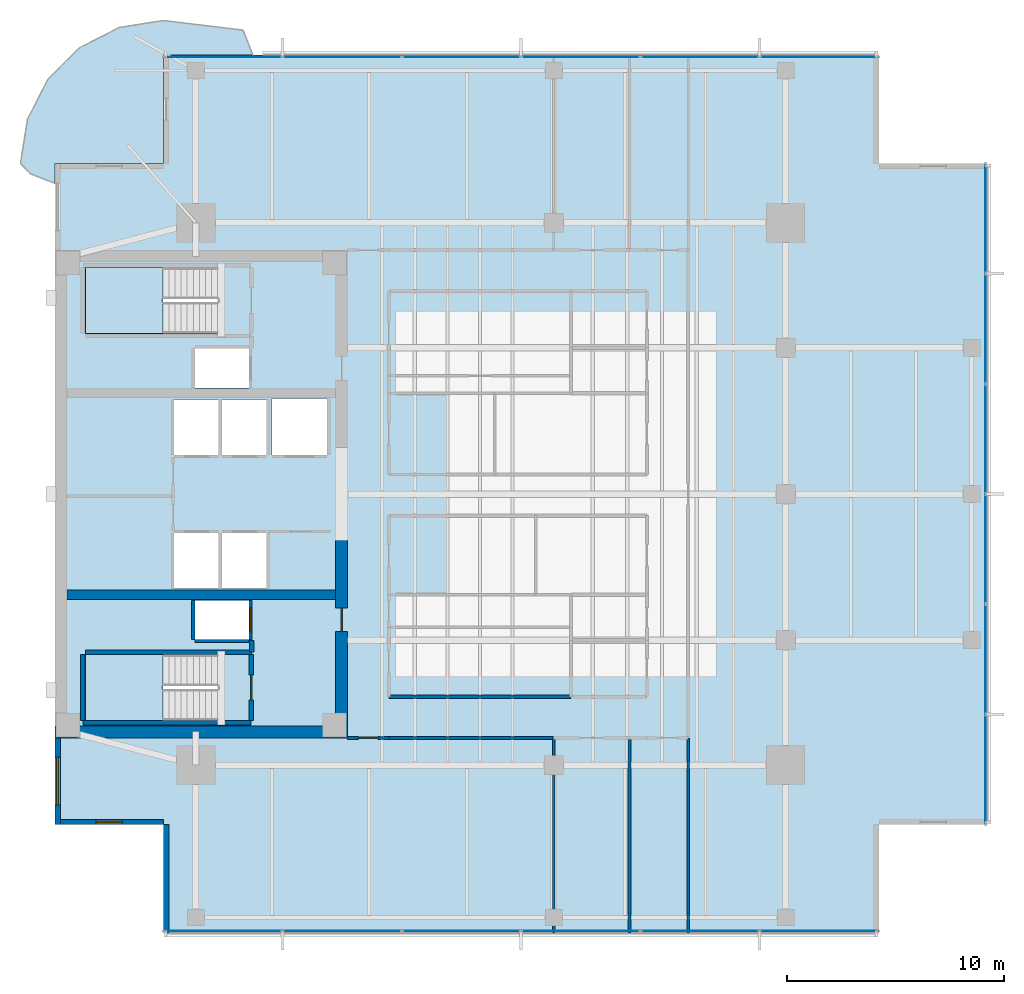
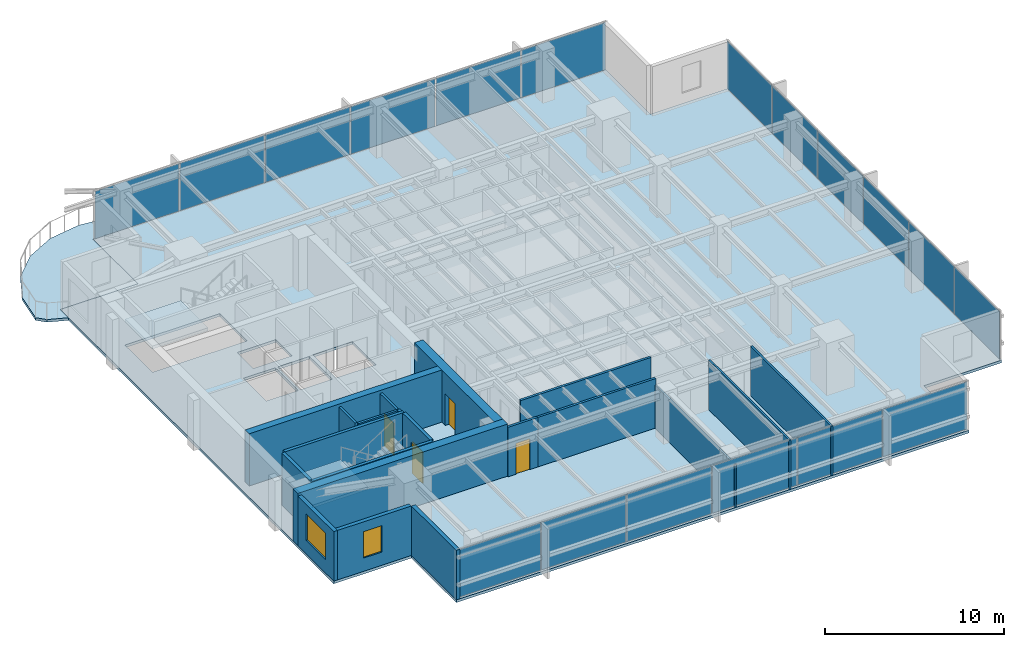
# One storey, part 7 of 14: 20 walls, 18 plates, 4 doors, 4 slabs, 2 windows, 6 openings, 5 elements without a shape of their own.
"""IFC4 building model written with IfcOpenShell, lengths in metres."""

import ifcopenshell
import ifcopenshell.guid

model = None  # the IFC model being written
_history = None  # IfcOwnerHistory: only IFC2X3 demands one
_inside = {}  # id of a spatial element -> (the spatial element, [elements in it])
_under = {}  # id of a project, library or spatial element -> (it, [spatial elements below it])
_declared = {}  # id of a project -> (the project, [libraries it declares])
_typed = {}  # id of a type object -> (the type object, [elements of that type])
_made_of = {}  # id of a material, layer set ... -> (it, [elements and type objects made of it])


def new_model(schema):
    """Start an empty IFC model of exactly this schema.

    Asked for "IFC4X3", IfcOpenShell would pick the latest addendum, in which some entities
    have other attributes; the version numbers below select the first issue.
    IFC2X3 requires an IfcOwnerHistory on every rooted entity: one is made here for all.
    """
    global model, _history
    if schema == "IFC4X3":
        model = ifcopenshell.file(schema_version=(4, 3, 0, 0))
    else:
        model = ifcopenshell.file(schema=schema)
    _inside.clear()
    _under.clear()
    _declared.clear()
    _typed.clear()
    _made_of.clear()
    _history = None
    if model.schema == "IFC2X3":
        org = make("IfcOrganization", Name="unknown")
        user = make(
            "IfcPersonAndOrganization",
            ThePerson=make("IfcPerson", FamilyName="unknown"),
            TheOrganization=org,
        )
        app = make(
            "IfcApplication",
            ApplicationDeveloper=org,
            Version="unknown",
            ApplicationFullName="unknown",
            ApplicationIdentifier="unknown",
        )
        _history = make(
            "IfcOwnerHistory",
            OwningUser=user,
            OwningApplication=app,
            ChangeAction="ADDED",
            CreationDate=0,
        )
    return model


def make(cls, **values):
    """One entity of the class cls with the attributes given. An attribute that is None is left unset."""
    return model.create_entity(
        cls, **{name: value for name, value in values.items() if value is not None}
    )


def rooted(cls, **values):
    """An entity with a GlobalId (a new one), such as an element, a storey or a relation."""
    return make(cls, GlobalId=ifcopenshell.guid.new(), OwnerHistory=_history, **values)


def si_unit(unit_type, name, prefix=None):
    """IfcSIUnit, for example si_unit("LENGTHUNIT", "METRE", prefix="MILLI")."""
    return make("IfcSIUnit", UnitType=unit_type, Prefix=prefix, Name=name)


def assignment(units):
    """IfcUnitAssignment: the units of a project."""
    return None if units is None else make("IfcUnitAssignment", Units=units)


def point(xyz):
    """IfcCartesianPoint."""
    return None if xyz is None else make("IfcCartesianPoint", Coordinates=xyz)


def direction(xyz):
    """IfcDirection."""
    return None if xyz is None else make("IfcDirection", DirectionRatios=xyz)


def frame(location, z_axis=None, x_axis=None):
    """IfcAxis2Placement3D, a coordinate frame: its origin and axes. An axis left out is left unset."""
    return make(
        "IfcAxis2Placement3D",
        Location=point(location),
        Axis=direction(z_axis),
        RefDirection=direction(x_axis),
    )


def frame_2d(location, x_axis=None):
    """IfcAxis2Placement2D, a coordinate frame in the plane: its origin and x axis."""
    return make(
        "IfcAxis2Placement2D", Location=point(location), RefDirection=direction(x_axis)
    )


def origin():
    """The frame at (0, 0, 0) with its axes left unset."""
    return frame((0.0, 0.0, 0.0))


def origin_2d():
    """The frame at (0, 0) in the plane with its x axis left unset."""
    return frame_2d((0.0, 0.0))


def place(relative_to, where):
    """IfcLocalPlacement: puts the frame where relative to a parent placement (None: the world)."""
    return make(
        "IfcLocalPlacement", PlacementRelTo=relative_to, RelativePlacement=where
    )


def context(
    kind, dimensions, precision=None, world=None, true_north=None, identifier=None
):
    """IfcGeometricRepresentationContext, for example the 3D "Model" context."""
    return make(
        "IfcGeometricRepresentationContext",
        ContextIdentifier=identifier,
        ContextType=kind,
        CoordinateSpaceDimension=dimensions,
        Precision=precision,
        WorldCoordinateSystem=world,
        TrueNorth=true_north,
    )


def subcontext(parent, identifier, kind, view, scale=None):
    """IfcGeometricRepresentationSubContext, for example "Body" below "Model"."""
    return make(
        "IfcGeometricRepresentationSubContext",
        ContextIdentifier=identifier,
        ContextType=kind,
        ParentContext=parent,
        TargetScale=scale,
        TargetView=view,
    )


def project(units=None, contexts=None):
    """IfcProject with its units and contexts."""
    return rooted(
        "IfcProject",
        Name="project",
        RepresentationContexts=contexts,
        UnitsInContext=assignment(units),
    )


def spatial(cls, under=None, at=None, **own):
    """A site, building, storey or space (cls), placed at a placement, below another one or the project."""
    s = rooted(cls, ObjectPlacement=at, **own)
    if under is not None:
        _under.setdefault(under.id(), (under, []))[1].append(s)
    return s


def polyline(points):
    """IfcPolyline through the points."""
    return make("IfcPolyline", Points=[point(p) for p in points])


def profile(cls, at=None, kind="AREA", **sizes):
    """A parametric profile (cls). Its sizes go by their IFC names, for example OverallWidth=200.0."""
    return make(cls, ProfileType=kind, Position=at, **sizes)


def rectangle(**sizes):
    """IfcRectangleProfileDef."""
    return profile("IfcRectangleProfileDef", **sizes)


def outline(outer, holes=None, kind="AREA"):
    """IfcArbitraryClosedProfileDef: a profile drawn as a closed curve; with holes, ...WithVoids."""
    if holes is None:
        return make("IfcArbitraryClosedProfileDef", ProfileType=kind, OuterCurve=outer)
    return make(
        "IfcArbitraryProfileDefWithVoids",
        ProfileType=kind,
        OuterCurve=outer,
        InnerCurves=holes,
    )


def extrude(swept, where, along, depth):
    """IfcExtrudedAreaSolid: the profile swept, set in the frame where, extruded along a direction by depth."""
    return make(
        "IfcExtrudedAreaSolid",
        SweptArea=swept,
        Position=where,
        ExtrudedDirection=direction(along),
        Depth=depth,
    )


def shape(context_of_items, identifier, shape_type, items):
    """IfcShapeRepresentation: the items that make up one representation, for example the "Body"."""
    return make(
        "IfcShapeRepresentation",
        ContextOfItems=context_of_items,
        RepresentationIdentifier=identifier,
        RepresentationType=shape_type,
        Items=items,
    )


def material(Name=None, Category=None):
    """IfcMaterial."""
    return make("IfcMaterial", Name=Name, Category=Category)


def layer(
    of_material, thickness, ventilated=None, Name=None, Category=None, Priority=None
):
    """IfcMaterialLayer: one layer of a wall or slab, of a material (None: an air gap)."""
    return make(
        "IfcMaterialLayer",
        Material=of_material,
        LayerThickness=thickness,
        IsVentilated=ventilated,
        Name=Name,
        Category=Category,
        Priority=Priority,
    )


def layer_set(layers, Name=None):
    """IfcMaterialLayerSet."""
    return make("IfcMaterialLayerSet", MaterialLayers=layers, LayerSetName=Name)


def made_of(thing, what):
    """Note that an element or type object is made of a material, layer set ...; save() writes the relation."""
    if what is not None:
        _made_of.setdefault(what.id(), (what, []))[1].append(thing)
    return thing


def type_object(cls, material=None, **own):
    """A type object (cls), such as IfcWallType, which elements share."""
    return made_of(rooted(cls, **own), material)


def element(
    cls,
    number,
    at=None,
    inside=None,
    cuts=None,
    type_object=None,
    material=None,
    context=None,
    identifier="Body",
    shape_type=None,
    held_by="IfcProductDefinitionShape",
    body=None,
    shapes=None,
    **own,
):
    """One element of the class cls, such as IfcWall. Its Tag is "e" and its number.

    at: its placement. inside: the storey or other place that contains it. cuts: it is an
    opening in that element (IfcRelVoidsElement). A single representation is given by context,
    identifier, shape_type and body (its items); several are given by shapes. held_by: the class
    of the entity that holds the representations. save() writes the other relations.
    """
    e = rooted(cls, Tag="e%d" % number, ObjectPlacement=at, **own)
    if body is not None:
        shapes = [shape(context, identifier, shape_type, body)]
    if shapes is not None:
        e.Representation = make(held_by, Representations=shapes)
    if inside is not None:
        _inside.setdefault(inside.id(), (inside, []))[1].append(e)
    if cuts is not None:
        rooted(
            "IfcRelVoidsElement", RelatingBuildingElement=cuts, RelatedOpeningElement=e
        )
    if type_object is not None:
        _typed.setdefault(type_object.id(), (type_object, []))[1].append(e)
    return made_of(e, material)


def fill(opening, filler):
    """IfcRelFillsElement: the door or window that sits in an opening."""
    return rooted(
        "IfcRelFillsElement",
        RelatingOpeningElement=opening,
        RelatedBuildingElement=filler,
    )


def aggregate(whole, parts):
    """IfcRelAggregates: a whole, such as a stair, and the parts it consists of."""
    return rooted("IfcRelAggregates", RelatingObject=whole, RelatedObjects=parts)


def save(model, path):
    """Write the relations noted so far, then the file.

    IfcRelAggregates (storeys below a building ...), IfcRelContainedInSpatialStructure (elements
    in a storey), IfcRelDefinesByType, IfcRelAssociatesMaterial and IfcRelDeclares: one each for
    every whole, place, type object, material and project.
    """
    for whole, parts in _under.values():
        aggregate(whole, parts)
    for where, things in _inside.values():
        rooted(
            "IfcRelContainedInSpatialStructure",
            RelatedElements=things,
            RelatingStructure=where,
        )
    for kind, things in _typed.values():
        rooted("IfcRelDefinesByType", RelatedObjects=things, RelatingType=kind)
    for what, things in _made_of.values():
        rooted("IfcRelAssociatesMaterial", RelatedObjects=things, RelatingMaterial=what)
    for by, libraries in _declared.values():
        rooted("IfcRelDeclares", RelatingContext=by, RelatedDefinitions=libraries)
    model.write(path)


model = new_model("IFC4")

# Units and contexts
model_context = context("Model", 3, precision=1e-05, world=origin(), true_north=direction((0.0, 1.0)))
body_context = subcontext(model_context, "Body", "Model", "MODEL_VIEW")
ifc_project = project(units=[si_unit("LENGTHUNIT", "METRE"), si_unit("AREAUNIT", "SQUARE_METRE"), si_unit("VOLUMEUNIT", "CUBIC_METRE"), si_unit("PLANEANGLEUNIT", "RADIAN"), si_unit("MASSUNIT", "GRAM", prefix="KILO")], contexts=[model_context])

# Site, building, storey
site_placement = place(None, origin())
site = spatial("IfcSite", under=ifc_project, at=site_placement, CompositionType="ELEMENT")
building_placement = place(site_placement, origin())
building = spatial("IfcBuilding", under=site, at=building_placement, Name="Kinhvarn Gate Tower", CompositionType="ELEMENT")
storey_placement = place(building_placement, frame((0.0, 0.0, 216.449951171875)))
storey = spatial("IfcBuildingStorey", under=building, at=storey_placement, Name="L57", CompositionType="ELEMENT", Elevation=216.449951171875)

# Curtain wall, plates
ifc_material_1 = material(Name="Anodised aluminium AW-6063", Category="aluminium")
ifc_layer_1 = layer(ifc_material_1, 0.179931640625)
ifc_layer_set_1 = layer_set([ifc_layer_1], Name="Anodised aluminium AW-6063")
curtain_wall_type = type_object("IfcCurtainWallType", Name="CW-SYS-3", PredefinedType="NOTDEFINED", material=ifc_layer_set_1)
curtain_wall_1_placement = place(storey_placement, origin())
curtain_wall_1 = element("IfcCurtainWall", 1, at=curtain_wall_1_placement, inside=storey, type_object=curtain_wall_type, Name="Curtain Wall CW3 (L57)", PredefinedType="NOTDEFINED")
ifc_material_2 = material(Name="Clear low-e double glazing", Category="glass")
ifc_layer_2 = layer(ifc_material_2, 0.031982421875)
ifc_layer_set_2 = layer_set([ifc_layer_2], Name="Clear low-e double glazing")
plate_type = type_object("IfcPlateType", Name="CW-PNL-VIS", PredefinedType="CURTAIN_PANEL", material=ifc_layer_set_2)
plate_1_placement = place(storey_placement, frame((12.266357421875, 5.090087890625, 0.070068359375), z_axis=(0.0, 0.0, 1.0), x_axis=(1.0, 0.0, 0.0)))
plate_1 = element("IfcPlate", 2, at=plate_1_placement, type_object=plate_type, Name="CW3 panel 1.1", PredefinedType="CURTAIN_PANEL", context=body_context, shape_type="SweptSolid", body=[
    extrude(rectangle(XDim=5.402587890625, YDim=0.031982421875, at=origin_2d()), origin(), (0.0, 0.0, 1.0), 3.22998046875),
])
plate_2_placement = place(storey_placement, frame((17.75, 5.090087890625, 0.070068359375), z_axis=(0.0, 0.0, 1.0), x_axis=(1.0, 0.0, 0.0)))
plate_2 = element("IfcPlate", 3, at=plate_2_placement, type_object=plate_type, Name="CW3 panel 2.1", PredefinedType="CURTAIN_PANEL", context=body_context, shape_type="SweptSolid", body=[
    extrude(rectangle(XDim=5.43505859375, YDim=0.031982421875, at=origin_2d()), origin(), (0.0, 0.0, 1.0), 3.22998046875),
])
plate_3_placement = place(storey_placement, frame((23.25, 5.090087890625, 0.070068359375), z_axis=(0.0, 0.0, 1.0), x_axis=(1.0, 0.0, 0.0)))
plate_3 = element("IfcPlate", 4, at=plate_3_placement, type_object=plate_type, Name="CW3 panel 3.1", PredefinedType="CURTAIN_PANEL", context=body_context, shape_type="SweptSolid", body=[
    extrude(rectangle(XDim=5.43505859375, YDim=0.031982421875, at=origin_2d()), origin(), (0.0, 0.0, 1.0), 3.22998046875),
])
plate_4_placement = place(storey_placement, frame((28.75, 5.090087890625, 0.070068359375), z_axis=(0.0, 0.0, 1.0), x_axis=(1.0, 0.0, 0.0)))
plate_4 = element("IfcPlate", 5, at=plate_4_placement, type_object=plate_type, Name="CW3 panel 4.1", PredefinedType="CURTAIN_PANEL", context=body_context, shape_type="SweptSolid", body=[
    extrude(rectangle(XDim=5.43505859375, YDim=0.031982421875, at=origin_2d()), origin(), (0.0, 0.0, 1.0), 3.22998046875),
])
plate_5_placement = place(storey_placement, frame((34.25, 5.090087890625, 0.070068359375), z_axis=(0.0, 0.0, 1.0), x_axis=(1.0, 0.0, 0.0)))
plate_5 = element("IfcPlate", 6, at=plate_5_placement, type_object=plate_type, Name="CW3 panel 5.1", PredefinedType="CURTAIN_PANEL", context=body_context, shape_type="SweptSolid", body=[
    extrude(rectangle(XDim=5.43505859375, YDim=0.031982421875, at=origin_2d()), origin(), (0.0, 0.0, 1.0), 3.22998046875),
])
plate_6_placement = place(storey_placement, frame((39.733642578125, 5.090087890625, 0.070068359375), z_axis=(0.0, 0.0, 1.0), x_axis=(1.0, 0.0, 0.0)))
plate_6 = element("IfcPlate", 7, at=plate_6_placement, type_object=plate_type, Name="CW3 panel 6.1", PredefinedType="CURTAIN_PANEL", context=body_context, shape_type="SweptSolid", body=[
    extrude(rectangle(XDim=5.402587890625, YDim=0.031982421875, at=origin_2d()), origin(), (0.0, 0.0, 1.0), 3.22998046875),
])
aggregate(curtain_wall_1, [plate_1, plate_2, plate_3, plate_4, plate_5, plate_6])

curtain_wall_2_placement = place(storey_placement, origin())
curtain_wall_2 = element("IfcCurtainWall", 8, at=curtain_wall_2_placement, inside=storey, type_object=curtain_wall_type, Name="Curtain Wall CW3 (L57)", PredefinedType="NOTDEFINED")
plate_7_placement = place(storey_placement, frame((39.733642578125, 45.409912109375, 0.070068359375), z_axis=(0.0, 0.0, 1.0), x_axis=(-1.0, 0.0, 0.0)))
plate_7 = element("IfcPlate", 9, at=plate_7_placement, type_object=plate_type, Name="CW3 panel 1.1", PredefinedType="CURTAIN_PANEL", context=body_context, shape_type="SweptSolid", body=[
    extrude(rectangle(XDim=5.402587890625, YDim=0.031982421875, at=origin_2d()), origin(), (0.0, 0.0, 1.0), 3.22998046875),
])
plate_8_placement = place(storey_placement, frame((34.25, 45.409912109375, 0.070068359375), z_axis=(0.0, 0.0, 1.0), x_axis=(-1.0, 0.0, 0.0)))
plate_8 = element("IfcPlate", 10, at=plate_8_placement, type_object=plate_type, Name="CW3 panel 2.1", PredefinedType="CURTAIN_PANEL", context=body_context, shape_type="SweptSolid", body=[
    extrude(rectangle(XDim=5.43505859375, YDim=0.031982421875, at=origin_2d()), origin(), (0.0, 0.0, 1.0), 3.22998046875),
])
plate_9_placement = place(storey_placement, frame((28.75, 45.409912109375, 0.070068359375), z_axis=(0.0, 0.0, 1.0), x_axis=(-1.0, 0.0, 0.0)))
plate_9 = element("IfcPlate", 11, at=plate_9_placement, type_object=plate_type, Name="CW3 panel 3.1", PredefinedType="CURTAIN_PANEL", context=body_context, shape_type="SweptSolid", body=[
    extrude(rectangle(XDim=5.43505859375, YDim=0.031982421875, at=origin_2d()), origin(), (0.0, 0.0, 1.0), 3.22998046875),
])
plate_10_placement = place(storey_placement, frame((23.25, 45.409912109375, 0.070068359375), z_axis=(0.0, 0.0, 1.0), x_axis=(-1.0, 0.0, 0.0)))
plate_10 = element("IfcPlate", 12, at=plate_10_placement, type_object=plate_type, Name="CW3 panel 4.1", PredefinedType="CURTAIN_PANEL", context=body_context, shape_type="SweptSolid", body=[
    extrude(rectangle(XDim=5.43505859375, YDim=0.031982421875, at=origin_2d()), origin(), (0.0, 0.0, 1.0), 3.22998046875),
])
plate_11_placement = place(storey_placement, frame((17.75, 45.409912109375, 0.070068359375), z_axis=(0.0, 0.0, 1.0), x_axis=(-1.0, 0.0, 0.0)))
plate_11 = element("IfcPlate", 13, at=plate_11_placement, type_object=plate_type, Name="CW3 panel 5.1", PredefinedType="CURTAIN_PANEL", context=body_context, shape_type="SweptSolid", body=[
    extrude(rectangle(XDim=5.43505859375, YDim=0.031982421875, at=origin_2d()), origin(), (0.0, 0.0, 1.0), 3.22998046875),
])
plate_12_placement = place(storey_placement, frame((12.266357421875, 45.409912109375, 0.070068359375), z_axis=(0.0, 0.0, 1.0), x_axis=(-1.0, 0.0, 0.0)))
plate_12 = element("IfcPlate", 14, at=plate_12_placement, type_object=plate_type, Name="CW3 panel 6.1", PredefinedType="CURTAIN_PANEL", context=body_context, shape_type="SweptSolid", body=[
    extrude(rectangle(XDim=5.402587890625, YDim=0.031982421875, at=origin_2d()), origin(), (0.0, 0.0, 1.0), 3.22998046875),
])
aggregate(curtain_wall_2, [plate_7, plate_8, plate_9, plate_10, plate_11, plate_12])

curtain_wall_3_placement = place(storey_placement, origin())
curtain_wall_3 = element("IfcCurtainWall", 15, at=curtain_wall_3_placement, inside=storey, type_object=curtain_wall_type, Name="Curtain Wall CW3 (L57)", PredefinedType="NOTDEFINED")
plate_13_placement = place(storey_placement, frame((47.409912109375, 12.557861328125, 0.070068359375), z_axis=(0.0, 0.0, 1.0), x_axis=(0.0, 1.0, 0.0)))
plate_13 = element("IfcPlate", 16, at=plate_13_placement, type_object=plate_type, Name="CW3 panel 1.1", PredefinedType="CURTAIN_PANEL", context=body_context, shape_type="SweptSolid", body=[
    extrude(rectangle(XDim=4.98583984375, YDim=0.031982421875, at=origin_2d()), origin(), (0.0, 0.0, 1.0), 3.22998046875),
])
plate_14_placement = place(storey_placement, frame((47.409912109375, 17.625, 0.070068359375), z_axis=(0.0, 0.0, 1.0), x_axis=(0.0, 1.0, 0.0)))
plate_14 = element("IfcPlate", 17, at=plate_14_placement, type_object=plate_type, Name="CW3 panel 2.1", PredefinedType="CURTAIN_PANEL", context=body_context, shape_type="SweptSolid", body=[
    extrude(rectangle(XDim=5.018310546875, YDim=0.031982421875, at=origin_2d()), origin(), (0.0, 0.0, 1.0), 3.22998046875),
])
plate_15_placement = place(storey_placement, frame((47.409912109375, 22.708251953125, 0.070068359375), z_axis=(0.0, 0.0, 1.0), x_axis=(0.0, 1.0, 0.0)))
plate_15 = element("IfcPlate", 18, at=plate_15_placement, type_object=plate_type, Name="CW3 panel 3.1", PredefinedType="CURTAIN_PANEL", context=body_context, shape_type="SweptSolid", body=[
    extrude(rectangle(XDim=5.018310546875, YDim=0.031982421875, at=origin_2d()), origin(), (0.0, 0.0, 1.0), 3.22998046875),
])
plate_16_placement = place(storey_placement, frame((47.409912109375, 27.791748046875, 0.070068359375), z_axis=(0.0, 0.0, 1.0), x_axis=(0.0, 1.0, 0.0)))
plate_16 = element("IfcPlate", 19, at=plate_16_placement, type_object=plate_type, Name="CW3 panel 4.1", PredefinedType="CURTAIN_PANEL", context=body_context, shape_type="SweptSolid", body=[
    extrude(rectangle(XDim=5.018310546875, YDim=0.031982421875, at=origin_2d()), origin(), (0.0, 0.0, 1.0), 3.22998046875),
])
plate_17_placement = place(storey_placement, frame((47.409912109375, 32.875, 0.070068359375), z_axis=(0.0, 0.0, 1.0), x_axis=(0.0, 1.0, 0.0)))
plate_17 = element("IfcPlate", 20, at=plate_17_placement, type_object=plate_type, Name="CW3 panel 5.1", PredefinedType="CURTAIN_PANEL", context=body_context, shape_type="SweptSolid", body=[
    extrude(rectangle(XDim=5.018310546875, YDim=0.031982421875, at=origin_2d()), origin(), (0.0, 0.0, 1.0), 3.22998046875),
])
plate_18_placement = place(storey_placement, frame((47.409912109375, 37.942138671875, 0.070068359375), z_axis=(0.0, 0.0, 1.0), x_axis=(0.0, 1.0, 0.0)))
plate_18 = element("IfcPlate", 21, at=plate_18_placement, type_object=plate_type, Name="CW3 panel 6.1", PredefinedType="CURTAIN_PANEL", context=body_context, shape_type="SweptSolid", body=[
    extrude(rectangle(XDim=4.98583984375, YDim=0.031982421875, at=origin_2d()), origin(), (0.0, 0.0, 1.0), 3.22998046875),
])
aggregate(curtain_wall_3, [plate_13, plate_14, plate_15, plate_16, plate_17, plate_18])

# Slabs
ifc_material_3 = material(Name="Precast white architectural concrete C40/50", Category="concrete")
ifc_layer_3 = layer(ifc_material_3, 0.179931640625)
ifc_layer_set_3 = layer_set([ifc_layer_3], Name="Precast white architectural concrete C40/50")
slab_type_1 = type_object("IfcSlabType", Name="SLB-BAL-180", PredefinedType="FLOOR", material=ifc_layer_set_3)
slab_1_placement = place(storey_placement, frame((0.0, 0.0, -0.179931640625)))
element("IfcSlab", 22, at=slab_1_placement, inside=storey, type_object=slab_type_1, Name="S-Carve Curved Terrace Balcony Slab L57 (NW)", PredefinedType="FLOOR", context=body_context, shape_type="SweptSolid", body=[
    extrude(outline(polyline([(13.6259765625, 45.5), (13.176025390625, 46.642578125), (9.5, 47.0869140625), (7.464599609375, 46.7646484375), (5.62841796875, 45.8291015625), (4.1708984375, 44.37158203125), (3.2353515625, 42.535400390625), (2.9130859375, 40.5), (3.357421875, 40.027099609375), (4.5, 39.576904296875), (4.5, 40.5), (9.5, 40.5), (9.5, 45.5), (13.6259765625, 45.5)])), origin(), (0.0, 0.0, 1.0), 0.179931640625),
])
ifc_material_4 = material(Name="Concrete C40/50", Category="concrete")
ifc_layer_4 = layer(ifc_material_4, 0.179931640625)
ifc_layer_set_4 = layer_set([ifc_layer_4], Name="Concrete C40/50")
slab_type_2 = type_object("IfcSlabType", Name="SLB-FLR-180", PredefinedType="FLOOR", material=ifc_layer_set_4)
slab_2_placement = place(storey_placement, frame((0.0, 0.0, -0.179931640625)))
element("IfcSlab", 23, at=slab_2_placement, inside=storey, type_object=slab_type_2, Name="Suspended Floor Slab L57", PredefinedType="FLOOR", context=body_context, shape_type="SweptSolid", body=[
    extrude(outline(polyline([(9.5, 5.0), (42.5, 5.0), (42.5, 10.0), (47.5, 10.0), (47.5, 40.5), (42.5, 40.5), (42.5, 45.5), (9.5, 45.5), (9.5, 40.5), (4.5, 40.5), (4.5, 10.0), (9.5, 10.0), (9.5, 5.0)]), holes=[polyline([(5.89990234375, 14.800048828125), (12.0, 14.800048828125), (12.0, 17.85009765625), (5.89990234375, 17.85009765625), (5.89990234375, 14.800048828125)]), polyline([(5.89990234375, 32.64990234375), (12.0, 32.64990234375), (12.0, 35.699951171875), (5.89990234375, 35.699951171875), (5.89990234375, 32.64990234375)]), polyline([(10.0, 20.89990234375), (12.050048828125, 20.89990234375), (12.050048828125, 23.449951171875), (10.0, 23.449951171875), (10.0, 20.89990234375)]), polyline([(12.199951171875, 20.89990234375), (14.25, 20.89990234375), (14.25, 23.449951171875), (12.199951171875, 23.449951171875), (12.199951171875, 20.89990234375)]), polyline([(10.0, 27.050048828125), (12.050048828125, 27.050048828125), (12.050048828125, 29.60009765625), (10.0, 29.60009765625), (10.0, 27.050048828125)]), polyline([(12.199951171875, 27.050048828125), (14.25, 27.050048828125), (14.25, 29.60009765625), (12.199951171875, 29.60009765625), (12.199951171875, 27.050048828125)]), polyline([(14.5, 27.050048828125), (17.050048828125, 27.050048828125), (17.050048828125, 29.64990234375), (14.5, 29.64990234375), (14.5, 27.050048828125)]), polyline([(10.949951171875, 18.550048828125), (13.449951171875, 18.550048828125), (13.449951171875, 20.35009765625), (10.949951171875, 20.35009765625), (10.949951171875, 18.550048828125)]), polyline([(10.949951171875, 30.14990234375), (13.449951171875, 30.14990234375), (13.449951171875, 31.949951171875), (10.949951171875, 31.949951171875), (10.949951171875, 30.14990234375)])]), origin(), (0.0, 0.0, 1.0), 0.179931640625),
])

# Stair, slab
stair_type = type_object("IfcStairType", Name="STR-DLG-178", PredefinedType="HALF_TURN_STAIR", material=ifc_material_4)
stair_1_placement = place(storey_placement, origin())
stair_1 = element("IfcStair", 24, at=stair_1_placement, inside=storey, type_object=stair_type, Name="L57 Core Smokeproof Exit Stair ST1", PredefinedType="HALF_TURN_STAIR")
ifc_layer_5 = layer(ifc_material_4, 0.199951171875)
ifc_layer_set_5 = layer_set([ifc_layer_5], Name="Concrete C40/50")
slab_type_3 = type_object("IfcSlabType", Name="SLB-ST-LND", PredefinedType="LANDING", material=ifc_layer_set_5)
slab_3_placement = place(storey_placement, frame((0.0, 0.0, 1.574951171875)))
slab_3 = element("IfcSlab", 25, at=slab_3_placement, type_object=slab_type_3, Name="ST1 landing 1", PredefinedType="LANDING", context=body_context, shape_type="SweptSolid", body=[
    extrude(outline(polyline([(9.47998046875, 17.85009765625), (5.89990234375, 17.85009765625), (5.89990234375, 14.800048828125), (9.47998046875, 14.800048828125), (9.47998046875, 17.85009765625)])), origin(), (0.0, 0.0, 1.0), 0.2001953125),
])
aggregate(stair_1, [slab_3])

stair_2_placement = place(storey_placement, origin())
stair_2 = element("IfcStair", 26, at=stair_2_placement, inside=storey, type_object=stair_type, Name="L57 Core Smokeproof Exit Stair ST2", PredefinedType="HALF_TURN_STAIR")
slab_4_placement = place(storey_placement, frame((0.0, 0.0, 1.574951171875)))
slab_4 = element("IfcSlab", 27, at=slab_4_placement, type_object=slab_type_3, Name="ST2 landing 1", PredefinedType="LANDING", context=body_context, shape_type="SweptSolid", body=[
    extrude(outline(polyline([(9.47998046875, 35.699951171875), (5.89990234375, 35.699951171875), (5.89990234375, 32.64990234375), (9.47998046875, 32.64990234375), (9.47998046875, 35.699951171875)])), origin(), (0.0, 0.0, 1.0), 0.2001953125),
])
aggregate(stair_2, [slab_4])

# Walls
ifc_material_5 = material(Name="Concrete C50/60", Category="concrete")
ifc_layer_6 = layer(ifc_material_5, 0.449951171875)
ifc_layer_set_6 = layer_set([ifc_layer_6], Name="Concrete C50/60")
wall_type_1 = type_object("IfcWallType", Name="WL-CORE-450", PredefinedType="SHEAR", material=ifc_layer_set_6)
wall_1_placement = place(storey_placement, frame((5.050048828125, 20.60009765625, 0.0), z_axis=(0.0, 0.0, 1.0), x_axis=(1.0, 0.0, 0.0)))
element("IfcWall", 28, at=wall_1_placement, inside=storey, type_object=wall_type_1, Name="Core South Spine Shear Wall L57 450 mm", PredefinedType="SHEAR", context=body_context, shape_type="SweptSolid", body=[
    extrude(rectangle(XDim=12.39990234375, YDim=0.449951171875, at=frame_2d((6.199951171875, 0.0))), origin(), (0.0, 0.0, 1.0), 3.550048828125),
])
ifc_material_6 = material(Name="Concrete C60/75", Category="concrete")
ifc_layer_7 = layer(ifc_material_6, 0.550048828125)
ifc_layer_set_7 = layer_set([ifc_layer_7], Name="Concrete C60/75")
wall_type_2 = type_object("IfcWallType", Name="WL-CORE-550", PredefinedType="SHEAR", material=ifc_layer_set_7)
wall_2_placement = place(storey_placement, frame((4.5, 14.27490234375, 0.0), z_axis=(0.0, 0.0, 1.0), x_axis=(1.0, 0.0, 0.0)))
element("IfcWall", 29, at=wall_2_placement, inside=storey, type_object=wall_type_2, Name="Core South Shear Wall L57 550 mm", PredefinedType="SHEAR", context=body_context, shape_type="SweptSolid", body=[
    extrude(rectangle(XDim=13.5, YDim=0.550048828125, at=frame_2d((6.75, 0.0))), origin(), (0.0, 0.0, 1.0), 3.550048828125),
])

# Wall, opening, door
wall_3_placement = place(storey_placement, frame((17.72509765625, 14.550048828125, 0.0), z_axis=(0.0, 0.0, 1.0), x_axis=(0.0, 1.0, 0.0)))
wall_3 = element("IfcWall", 30, at=wall_3_placement, inside=storey, type_object=wall_type_2, Name="Core East-South Shear Pier L57 550 mm", PredefinedType="SHEAR", context=body_context, shape_type="SweptSolid", body=[
    extrude(rectangle(XDim=8.89990234375, YDim=0.550048828125, at=frame_2d((4.449951171875, 0.0))), origin(), (0.0, 0.0, 1.0), 3.550048828125),
])
opening_1_placement = place(wall_3_placement, frame((4.35009765625, 0.0, 0.0)))
opening_1 = element("IfcOpeningElement", 31, at=opening_1_placement, cuts=wall_3, Name="Opening FD-02", PredefinedType="OPENING", context=body_context, shape_type="SweptSolid", body=[
    extrude(rectangle(XDim=1.10009765625, YDim=2.14990234375, at=frame_2d((0.550048828125, 1.074951171875))), frame((0.0, 0.28515625, 0.0), z_axis=(0.0, -1.0, 0.0), x_axis=(1.0, 0.0, 0.0)), (0.0, 0.0, 1.0), 0.570068359375),
])
door_type_1 = type_object("IfcDoorType", Name="DR-FD-1100", OperationType="NOTDEFINED", PredefinedType="DOOR", material=ifc_material_1)
door_1_placement = place(opening_1_placement, origin())
door_1 = element("IfcDoor", 32, at=door_1_placement, inside=storey, type_object=door_type_1, Name="Firefighting Lobby Core Door (L57)", OperationType="SINGLE_SWING_RIGHT", OverallHeight=2.14990234375, OverallWidth=1.10009765625, PredefinedType="DOOR", context=body_context, shape_type="SweptSolid", body=[
    extrude(rectangle(XDim=1.10009765625, YDim=2.14990234375, at=frame_2d((0.550048828125, 1.074951171875))), frame((0.0, 0.02490234375, 0.0), z_axis=(0.0, -1.0, 0.0), x_axis=(1.0, 0.0, 0.0)), (0.0, 0.0, 1.0), 0.050048828125),
])
fill(opening_1, door_1)

# Wall, opening, window
ifc_material_7 = material(Name="Fired architectural terracotta", Category="masonry")
ifc_layer_8 = layer(ifc_material_7, 0.25)
ifc_layer_set_8 = layer_set([ifc_layer_8], Name="Fired architectural terracotta")
wall_type_3 = type_object("IfcWallType", Name="WL-EXT-250", PredefinedType="SOLIDWALL", material=ifc_layer_set_8)
wall_4_placement = place(storey_placement, frame((4.625, 14.0, 0.0), z_axis=(0.0, 0.0, 1.0), x_axis=(0.0, -1.0, 0.0)))
wall_4 = element("IfcWall", 33, at=wall_4_placement, inside=storey, type_object=wall_type_3, Name="Exterior Solidwall Wall EW-250 (L57 West-South)", PredefinedType="SOLIDWALL", context=body_context, shape_type="SweptSolid", body=[
    extrude(rectangle(XDim=4.0, YDim=0.25, at=frame_2d((2.0, 0.0))), origin(), (0.0, 0.0, 1.0), 3.3701171875),
])
opening_2_placement = place(wall_4_placement, frame((0.89990234375, 0.0, 0.89990234375)))
opening_2 = element("IfcOpeningElement", 34, at=opening_2_placement, cuts=wall_4, Name="Opening WN-01", PredefinedType="OPENING", context=body_context, shape_type="SweptSolid", body=[
    extrude(rectangle(XDim=2.199951171875, YDim=1.800048828125, at=frame_2d((1.10009765625, 0.89990234375))), frame((0.0, 0.135009765625, 0.0), z_axis=(0.0, -1.0, 0.0), x_axis=(1.0, 0.0, 0.0)), (0.0, 0.0, 1.0), 0.27001953125),
])
window_type_1 = type_object("IfcWindowType", Name="WIN-RIB-2200", PartitioningType="SINGLE_PANEL", PredefinedType="WINDOW", material=ifc_material_2)
window_1_placement = place(opening_2_placement, origin())
window_1 = element("IfcWindow", 35, at=window_1_placement, inside=storey, type_object=window_type_1, Name="West Flank Double-Glazed Ribbon Window 2200x1800 mm (L57)", OverallHeight=1.800048828125, OverallWidth=2.199951171875, PartitioningType="SINGLE_PANEL", PredefinedType="WINDOW", context=body_context, shape_type="SweptSolid", body=[
    extrude(rectangle(XDim=2.199951171875, YDim=1.800048828125, at=frame_2d((1.10009765625, 0.89990234375))), frame((0.0, 0.030029296875, 0.0), z_axis=(0.0, -1.0, 0.0), x_axis=(1.0, 0.0, 0.0)), (0.0, 0.0, 1.0), 0.06005859375),
])
fill(opening_2, window_1)

wall_5_placement = place(storey_placement, frame((4.5, 10.125, 0.0), z_axis=(0.0, 0.0, 1.0), x_axis=(1.0, 0.0, 0.0)))
wall_5 = element("IfcWall", 36, at=wall_5_placement, inside=storey, type_object=wall_type_3, Name="Exterior Solidwall Wall EW-250 (L57 SW-Notch-1)", PredefinedType="SOLIDWALL", context=body_context, shape_type="SweptSolid", body=[
    extrude(rectangle(XDim=5.0, YDim=0.25, at=frame_2d((2.5, 0.0))), origin(), (0.0, 0.0, 1.0), 3.3701171875),
])
opening_3_placement = place(wall_5_placement, frame((1.89990234375, 0.0, 0.89990234375)))
opening_3 = element("IfcOpeningElement", 37, at=opening_3_placement, cuts=wall_5, Name="Opening WN-02", PredefinedType="OPENING", context=body_context, shape_type="SweptSolid", body=[
    extrude(rectangle(XDim=1.199951171875, YDim=1.800048828125, at=frame_2d((0.60009765625, 0.89990234375))), frame((0.0, 0.135009765625, 0.0), z_axis=(0.0, -1.0, 0.0), x_axis=(1.0, 0.0, 0.0)), (0.0, 0.0, 1.0), 0.27001953125),
])
window_type_2 = type_object("IfcWindowType", Name="WIN-NTC-1200", PartitioningType="SINGLE_PANEL", PredefinedType="WINDOW", material=ifc_material_2)
window_2_placement = place(opening_3_placement, origin())
window_2 = element("IfcWindow", 38, at=window_2_placement, inside=storey, type_object=window_type_2, Name="Recessed Corner Notch Punched Window 1200x1800 mm (L57)", OverallHeight=1.800048828125, OverallWidth=1.199951171875, PartitioningType="SINGLE_PANEL", PredefinedType="WINDOW", context=body_context, shape_type="SweptSolid", body=[
    extrude(rectangle(XDim=1.199951171875, YDim=1.800048828125, at=frame_2d((0.60009765625, 0.89990234375))), frame((0.0, 0.030029296875, 0.0), z_axis=(0.0, -1.0, 0.0), x_axis=(1.0, 0.0, 0.0)), (0.0, 0.0, 1.0), 0.06005859375),
])
fill(opening_3, window_2)

# Walls
wall_6_placement = place(storey_placement, frame((9.625, 10.0, 0.0), z_axis=(0.0, 0.0, 1.0), x_axis=(0.0, -1.0, 0.0)))
element("IfcWall", 39, at=wall_6_placement, inside=storey, type_object=wall_type_3, Name="Exterior Solidwall Wall EW-250 (L57 SW-Notch-2)", PredefinedType="SOLIDWALL", context=body_context, shape_type="SweptSolid", body=[
    extrude(rectangle(XDim=5.0, YDim=0.25, at=frame_2d((2.5, 0.0))), origin(), (0.0, 0.0, 1.0), 3.3701171875),
])
ifc_material_8 = material(Name="Gypsum acoustic partition board")
ifc_layer_9 = layer(ifc_material_8, 0.1201171875)
ifc_layer_set_9 = layer_set([ifc_layer_9], Name="Gypsum acoustic partition board")
wall_type_4 = type_object("IfcWallType", Name="WL-PRT-120", PredefinedType="PARTITIONING", material=ifc_layer_set_9)
wall_7_placement = place(storey_placement, frame((27.5, 5.010009765625, 0.0), z_axis=(0.0, 0.0, 1.0), x_axis=(0.0, 1.0, 0.0)))
element("IfcWall", 40, at=wall_7_placement, inside=storey, type_object=wall_type_4, Name="Interior Partition PW-120 (L57)", PredefinedType="PARTITIONING", context=body_context, shape_type="SweptSolid", body=[
    extrude(rectangle(XDim=8.989990234375, YDim=0.1201171875, at=frame_2d((4.4951171875, 0.0))), origin(), (0.0, 0.0, 1.0), 2.920166015625),
])
for number, where, z_axis, x_axis, name in (
    (41, (31.0, 5.010009765625, 0.0), (0.0, 0.0, 1.0), (0.0, 1.0, 0.0), "Interior Partition PW-120 (L57)"),
    (42, (33.699951171875, 5.010009765625, 0.0), (0.0, 0.0, 1.0), (0.0, 1.0, 0.0), "Interior Partition PW-120 (L57)"),
):
    element("IfcWall", number, at=place(storey_placement, frame(where, z_axis=z_axis, x_axis=x_axis)), inside=storey, type_object=wall_type_4, Name=name, PredefinedType="PARTITIONING", context=body_context, shape_type="SweptSolid", body=[
        extrude(rectangle(XDim=8.989990234375, YDim=0.1201171875, at=frame_2d((4.4951171875, 0.0))), origin(), (0.0, 0.0, 1.0), 3.3701171875),
    ])

# Wall, opening, door
ifc_layer_10 = layer(ifc_material_8, 0.14990234375)
ifc_layer_set_10 = layer_set([ifc_layer_10], Name="Gypsum acoustic partition board")
wall_type_5 = type_object("IfcWallType", Name="WL-PRT-150F", PredefinedType="PARTITIONING", material=ifc_layer_set_10)
wall_8_placement = place(storey_placement, frame((18.0, 14.0, 0.0), z_axis=(0.0, 0.0, 1.0), x_axis=(1.0, 0.0, 0.0)))
wall_8 = element("IfcWall", 43, at=wall_8_placement, inside=storey, type_object=wall_type_5, Name="Interior Partition PW-150F (L57)", PredefinedType="PARTITIONING", context=body_context, shape_type="SweptSolid", body=[
    extrude(rectangle(XDim=1.89990234375, YDim=0.14990234375, at=frame_2d((0.949951171875, 0.0))), origin(), (0.0, 0.0, 1.0), 3.3701171875),
])
opening_4_placement = place(wall_8_placement, frame((0.5, 0.0, 0.0)))
opening_4 = element("IfcOpeningElement", 44, at=opening_4_placement, cuts=wall_8, Name="Opening ID-03", PredefinedType="OPENING", context=body_context, shape_type="SweptSolid", body=[
    extrude(rectangle(XDim=0.89990234375, YDim=2.10009765625, at=frame_2d((0.449951171875, 1.050048828125))), frame((0.0, 0.0849609375, 0.0), z_axis=(0.0, -1.0, 0.0), x_axis=(1.0, 0.0, 0.0)), (0.0, 0.0, 1.0), 0.169921875),
])
door_type_2 = type_object("IfcDoorType", Name="DR-INT-900", OperationType="NOTDEFINED", PredefinedType="DOOR", material=ifc_material_1)
door_2_placement = place(opening_4_placement, origin())
door_2 = element("IfcDoor", 45, at=door_2_placement, inside=storey, type_object=door_type_2, Name="Cellular Office & Restroom Door 900x2100 mm (L57)", OperationType="SINGLE_SWING_RIGHT", OverallHeight=2.10009765625, OverallWidth=0.89990234375, PredefinedType="DOOR", context=body_context, shape_type="SweptSolid", body=[
    extrude(rectangle(XDim=0.89990234375, YDim=2.10009765625, at=frame_2d((0.449951171875, 1.050048828125))), frame((0.0, 0.02490234375, 0.0), z_axis=(0.0, -1.0, 0.0), x_axis=(1.0, 0.0, 0.0)), (0.0, 0.0, 1.0), 0.050048828125),
])
fill(opening_4, door_2)

# Walls
wall_9_placement = place(storey_placement, frame((19.89990234375, 15.89990234375, 0.0), z_axis=(0.0, 0.0, 1.0), x_axis=(1.0, 0.0, 0.0)))
element("IfcWall", 46, at=wall_9_placement, inside=storey, type_object=wall_type_5, Name="Interior Partition PW-150F (L57)", PredefinedType="PARTITIONING", context=body_context, shape_type="SweptSolid", body=[
    extrude(rectangle(XDim=8.400146484375, YDim=0.14990234375, at=frame_2d((4.2001953125, 0.0))), origin(), (0.0, 0.0, 1.0), 3.3701171875),
])
wall_10_placement = place(storey_placement, frame((19.89990234375, 14.0, 0.0), z_axis=(0.0, 0.0, 1.0), x_axis=(1.0, 0.0, 0.0)))
element("IfcWall", 47, at=wall_10_placement, inside=storey, type_object=wall_type_5, Name="Interior Partition PW-150F (L57)", PredefinedType="PARTITIONING", context=body_context, shape_type="SweptSolid", body=[
    extrude(rectangle(XDim=7.60009765625, YDim=0.14990234375, at=frame_2d((3.800048828125, 0.0))), origin(), (0.0, 0.0, 1.0), 3.3701171875),
])
ifc_layer_11 = layer(ifc_material_8, 0.199951171875)
ifc_layer_set_11 = layer_set([ifc_layer_11], Name="Gypsum acoustic partition board")
wall_type_6 = type_object("IfcWallType", Name="WL-PRT-200", PredefinedType="PARTITIONING", material=ifc_layer_set_11)
wall_11_placement = place(storey_placement, frame((13.580078125, 17.9599609375, 0.0), z_axis=(0.0, 0.0, 1.0), x_axis=(0.0, 1.0, 0.0)))
element("IfcWall", 48, at=wall_11_placement, inside=storey, type_object=wall_type_6, Name="Interior Partition PW-200 (L57)", PredefinedType="PARTITIONING", context=body_context, shape_type="SweptSolid", body=[
    extrude(rectangle(XDim=0.5400390625, YDim=0.199951171875, at=frame_2d((0.27001953125, 0.0))), origin(), (0.0, 0.0, 1.0), 3.3701171875),
])
ifc_layer_12 = layer(ifc_material_8, 0.14990234375)
ifc_layer_set_12 = layer_set([ifc_layer_12], Name="Gypsum acoustic partition board")
wall_type_7 = type_object("IfcWallType", Name="WL-SHF-150", PredefinedType="PARTITIONING", material=ifc_layer_set_12)
wall_12_placement = place(storey_placement, frame((10.949951171875, 18.47509765625, 0.0), z_axis=(0.0, 0.0, 1.0), x_axis=(1.0, 0.0, 0.0)))
element("IfcWall", 49, at=wall_12_placement, inside=storey, type_object=wall_type_7, Name="Elevator FF1 Hoistway Wall S (L57)", PredefinedType="PARTITIONING", context=body_context, shape_type="SweptSolid", body=[
    extrude(rectangle(XDim=2.5, YDim=0.14990234375, at=frame_2d((1.25, 0.0))), origin(), (0.0, 0.0, 1.0), 3.3701171875),
])
wall_13_placement = place(storey_placement, frame((10.875, 18.550048828125, 0.0), z_axis=(0.0, 0.0, 1.0), x_axis=(0.0, 1.0, 0.0)))
element("IfcWall", 50, at=wall_13_placement, inside=storey, type_object=wall_type_7, Name="Elevator FF1 Hoistway Wall W (L57)", PredefinedType="PARTITIONING", context=body_context, shape_type="SweptSolid", body=[
    extrude(rectangle(XDim=1.800048828125, YDim=0.14990234375, at=frame_2d((0.89990234375, 0.0))), origin(), (0.0, 0.0, 1.0), 3.3701171875),
])

# Wall, opening, door
wall_14_placement = place(storey_placement, frame((13.52490234375, 18.550048828125, 0.0), z_axis=(0.0, 0.0, 1.0), x_axis=(0.0, 1.0, 0.0)))
wall_14 = element("IfcWall", 51, at=wall_14_placement, inside=storey, type_object=wall_type_7, Name="Elevator FF1 Landing Wall (L57)", PredefinedType="PARTITIONING", context=body_context, shape_type="SweptSolid", body=[
    extrude(rectangle(XDim=1.800048828125, YDim=0.14990234375, at=frame_2d((0.89990234375, 0.0))), origin(), (0.0, 0.0, 1.0), 3.3701171875),
])
opening_5_placement = place(wall_14_placement, frame((0.35009765625, 0.0, 0.0)))
opening_5 = element("IfcOpeningElement", 52, at=opening_5_placement, cuts=wall_14, Name="Opening LD-03", PredefinedType="OPENING", context=body_context, shape_type="SweptSolid", body=[
    extrude(rectangle(XDim=1.10009765625, YDim=2.199951171875, at=frame_2d((0.550048828125, 1.10009765625))), frame((0.0, 0.0849609375, 0.0), z_axis=(0.0, -1.0, 0.0), x_axis=(1.0, 0.0, 0.0)), (0.0, 0.0, 1.0), 0.169921875),
])
door_type_3 = type_object("IfcDoorType", Name="DR-LND-FF", OperationType="NOTDEFINED", PredefinedType="DOOR", material=ifc_material_1)
door_3_placement = place(opening_5_placement, origin())
door_3 = element("IfcDoor", 53, at=door_3_placement, inside=storey, type_object=door_type_3, Name="Elevator FF1 Sliding Landing Door (L57)", OperationType="DOUBLE_DOOR_SLIDING", OverallHeight=2.199951171875, OverallWidth=1.10009765625, PredefinedType="DOOR", context=body_context, shape_type="SweptSolid", body=[
    extrude(rectangle(XDim=1.10009765625, YDim=2.199951171875, at=frame_2d((0.550048828125, 1.10009765625))), frame((0.0, 0.02490234375, 0.0), z_axis=(0.0, -1.0, 0.0), x_axis=(1.0, 0.0, 0.0)), (0.0, 0.0, 1.0), 0.050048828125),
])
fill(opening_5, door_3)

# Walls
ifc_layer_13 = layer(ifc_material_4, 0.199951171875)
ifc_layer_set_13 = layer_set([ifc_layer_13], Name="Concrete C40/50")
wall_type_8 = type_object("IfcWallType", Name="WL-SHF-200", PredefinedType="SOLIDWALL", material=ifc_layer_set_13)
wall_15_placement = place(storey_placement, frame((5.800048828125, 14.699951171875, 0.0), z_axis=(0.0, 0.0, 1.0), x_axis=(1.0, 0.0, 0.0)))
element("IfcWall", 54, at=wall_15_placement, inside=storey, type_object=wall_type_8, Name="Stair ST1 South Shaft Wall (L57)", PredefinedType="SOLIDWALL", context=body_context, shape_type="SweptSolid", body=[
    extrude(rectangle(XDim=7.75, YDim=0.199951171875, at=frame_2d((3.875, 0.0))), origin(), (0.0, 0.0, 1.0), 3.550048828125),
])
wall_16_placement = place(storey_placement, frame((5.7900390625, 14.800048828125, 0.0), z_axis=(0.0, 0.0, 1.0), x_axis=(0.0, 1.0, 0.0)))
element("IfcWall", 55, at=wall_16_placement, inside=storey, type_object=wall_type_8, Name="Stair ST1 West Shaft Wall (L57)", PredefinedType="SOLIDWALL", context=body_context, shape_type="SweptSolid", body=[
    extrude(rectangle(XDim=3.050048828125, YDim=0.199951171875, at=frame_2d((1.52490234375, 0.0))), origin(), (0.0, 0.0, 1.0), 3.550048828125),
])
wall_17_placement = place(storey_placement, frame((5.89990234375, 17.9599609375, 0.0), z_axis=(0.0, 0.0, 1.0), x_axis=(1.0, 0.0, 0.0)))
element("IfcWall", 56, at=wall_17_placement, inside=storey, type_object=wall_type_8, Name="Stair ST1 North Shaft Wall (L57)", PredefinedType="SOLIDWALL", context=body_context, shape_type="SweptSolid", body=[
    extrude(rectangle(XDim=7.66015625, YDim=0.199951171875, at=frame_2d((3.830078125, 0.0))), origin(), (0.0, 0.0, 1.0), 3.550048828125),
])

# Wall, opening, door
wall_18_placement = place(storey_placement, frame((13.56005859375, 14.800048828125, 0.0), z_axis=(0.0, 0.0, 1.0), x_axis=(0.0, 1.0, 0.0)))
wall_18 = element("IfcWall", 57, at=wall_18_placement, inside=storey, type_object=wall_type_8, Name="Stair ST1 East Entry Wall (L57)", PredefinedType="SOLIDWALL", context=body_context, shape_type="SweptSolid", body=[
    extrude(rectangle(XDim=3.050048828125, YDim=0.199951171875, at=frame_2d((1.52490234375, 0.0))), origin(), (0.0, 0.0, 1.0), 3.550048828125),
])
opening_6_placement = place(wall_18_placement, frame((0.949951171875, 0.0, 0.0)))
opening_6 = element("IfcOpeningElement", 58, at=opening_6_placement, cuts=wall_18, Name="Opening FD-01", PredefinedType="OPENING", context=body_context, shape_type="SweptSolid", body=[
    extrude(rectangle(XDim=1.14990234375, YDim=2.14990234375, at=frame_2d((0.574951171875, 1.074951171875))), frame((0.0, 0.10986328125, 0.0), z_axis=(0.0, -1.0, 0.0), x_axis=(1.0, 0.0, 0.0)), (0.0, 0.0, 1.0), 0.219970703125),
])
door_type_4 = type_object("IfcDoorType", Name="DR-ST-1150", OperationType="NOTDEFINED", PredefinedType="DOOR", material=ifc_material_1)
door_4_placement = place(opening_6_placement, origin())
door_4 = element("IfcDoor", 59, at=door_4_placement, inside=storey, type_object=door_type_4, Name="Exit Stair ST1 Fire Door (L57)", OperationType="SINGLE_SWING_LEFT", OverallHeight=2.14990234375, OverallWidth=1.14990234375, PredefinedType="DOOR", context=body_context, shape_type="SweptSolid", body=[
    extrude(rectangle(XDim=1.14990234375, YDim=2.14990234375, at=frame_2d((0.574951171875, 1.074951171875))), frame((0.0, 0.02490234375, 0.0), z_axis=(0.0, -1.0, 0.0), x_axis=(1.0, 0.0, 0.0)), (0.0, 0.0, 1.0), 0.050048828125),
])
fill(opening_6, door_4)

save(model, "model.ifc")
